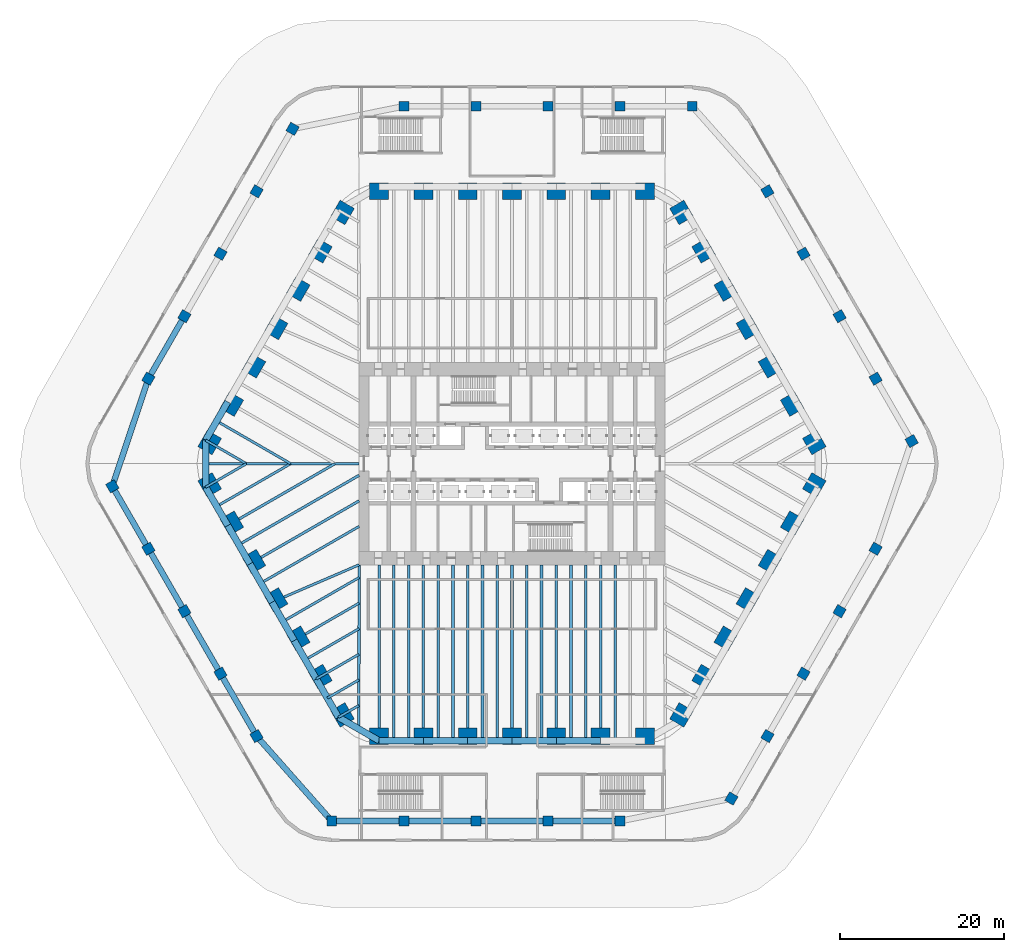
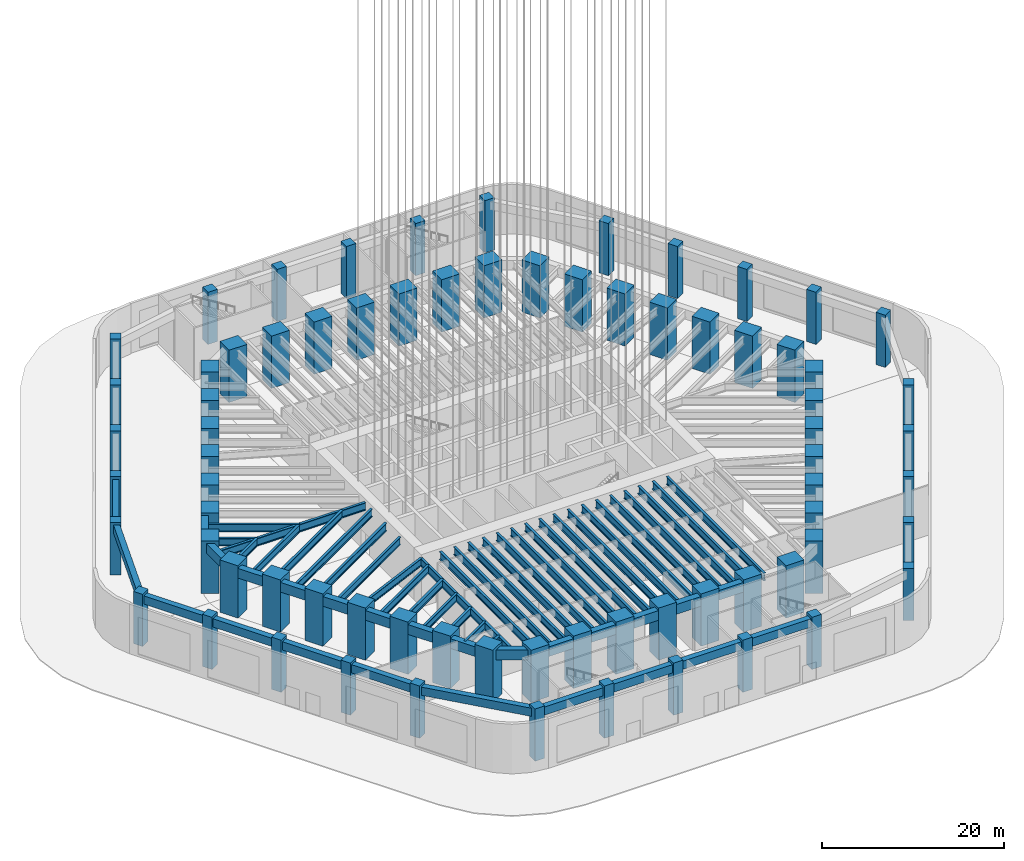
# One storey, part 1 of 23: 72 columns, 59 beams.
"""IFC4 building model written with IfcOpenShell, lengths in metres."""

from ifc_helpers import new_model, si_unit, direction, frame, origin, origin_2d, place, context, subcontext, project, spatial, rectangle, i_section, extrude, material, material_profile, profile_set, type_object, element, save


model = new_model("IFC4")

# Units and contexts
model_context = context("Model", 3, precision=1e-05, world=origin(), true_north=direction((0.0, 1.0)))
body_context = subcontext(model_context, "Body", "Model", "MODEL_VIEW")
ifc_project = project(units=[si_unit("LENGTHUNIT", "METRE"), si_unit("AREAUNIT", "SQUARE_METRE"), si_unit("VOLUMEUNIT", "CUBIC_METRE"), si_unit("PLANEANGLEUNIT", "RADIAN"), si_unit("MASSUNIT", "GRAM", prefix="KILO")], contexts=[model_context])

# Site, building, storey
site_placement = place(None, origin())
site = spatial("IfcSite", under=ifc_project, at=site_placement, CompositionType="ELEMENT")
building_placement = place(site_placement, origin())
building = spatial("IfcBuilding", under=site, at=building_placement, Name="Tarfa Lantern Tower", CompositionType="ELEMENT")
storey_placement = place(building_placement, origin())
storey = spatial("IfcBuildingStorey", under=building, at=storey_placement, Name="L00", CompositionType="ELEMENT", Elevation=0.0)

# Columns
ifc_material_1 = material(Name="Concrete C80/95", Category="concrete")
ifc_material_profile_1 = material_profile(ifc_material_1, rectangle(XDim=1.199951171875, YDim=1.199951171875, at=origin_2d()), Name="RC 1200x1200")
ifc_profile_set_1 = profile_set([ifc_material_profile_1], Name="Concrete C80/95")
column_type_1 = type_object("IfcColumnType", Name="PC1 RC 1200x1200", PredefinedType="COLUMN", material=ifc_profile_set_1)
for number, where, z_axis, x_axis, name in (
    (1, (48.641845703125, 2.75, 0.0), (0.0, 0.0, 1.0), (-0.5, 0.866025403784, 0.0), "Podium column NE0"),
    (2, (44.25390625, 10.35009765625, 0.0), (0.0, 0.0, 1.0), (-0.5, 0.866025403784, 0.0), "Podium column NE1"),
    (3, (39.865966796875, 17.949951171875, 0.0), (0.0, 0.0, 1.0), (-0.5, 0.866025403784, 0.0), "Podium column NE2"),
    (4, (35.478271484375, 25.550048828125, 0.0), (0.0, 0.0, 1.0), (-0.5, 0.866025403784, 0.0), "Podium column NE3"),
    (5, (31.09033203125, 33.14990234375, 0.0), (0.0, 0.0, 1.0), (-0.5, 0.866025403784, 0.0), "Podium column NE4"),
    (6, (21.939208984375, 43.5, 0.0), (0.0, 0.0, 1.0), (-1.0, 0.0, 0.0), "Podium column N0"),
    (7, (13.16357421875, 43.5, 0.0), (0.0, 0.0, 1.0), (-1.0, 0.0, 0.0), "Podium column N1"),
    (8, (4.387939453125, 43.5, 0.0), (0.0, 0.0, 1.0), (-1.0, 0.0, 0.0), "Podium column N2"),
    (9, (-4.387939453125, 43.5, 0.0), (0.0, 0.0, 1.0), (-1.0, 0.0, 0.0), "Podium column N3"),
    (10, (-13.16357421875, 43.5, 0.0), (0.0, 0.0, 1.0), (-1.0, 0.0, 0.0), "Podium column N4"),
    (11, (-26.702392578125, 40.75, 0.0), (0.0, 0.0, 1.0), (-0.5, -0.866025403784, 0.0), "Podium column NW0"),
    (12, (-31.09033203125, 33.14990234375, 0.0), (0.0, 0.0, 1.0), (-0.5, -0.866025403784, 0.0), "Podium column NW1"),
    (13, (-35.478271484375, 25.550048828125, 0.0), (0.0, 0.0, 1.0), (-0.5, -0.866025403784, 0.0), "Podium column NW2"),
    (14, (-39.865966796875, 17.949951171875, 0.0), (0.0, 0.0, 1.0), (-0.5, -0.866025403784, 0.0), "Podium column NW3"),
    (15, (-44.25390625, 10.35009765625, 0.0), (0.0, 0.0, 1.0), (-0.5, -0.866025403784, 0.0), "Podium column NW4"),
    (16, (-48.641845703125, -2.75, 0.0), (0.0, 0.0, 1.0), (0.5, -0.866025403784, 0.0), "Podium column SW0"),
    (17, (-44.25390625, -10.35009765625, 0.0), (0.0, 0.0, 1.0), (0.5, -0.866025403784, 0.0), "Podium column SW1"),
    (18, (-39.865966796875, -17.949951171875, 0.0), (0.0, 0.0, 1.0), (0.5, -0.866025403784, 0.0), "Podium column SW2"),
    (19, (-35.478271484375, -25.550048828125, 0.0), (0.0, 0.0, 1.0), (0.5, -0.866025403784, 0.0), "Podium column SW3"),
    (20, (-31.09033203125, -33.14990234375, 0.0), (0.0, 0.0, 1.0), (0.5, -0.866025403784, 0.0), "Podium column SW4"),
    (21, (-21.939208984375, -43.5, 0.0), (0.0, 0.0, 1.0), (1.0, 0.0, 0.0), "Podium column S0"),
    (22, (-13.16357421875, -43.5, 0.0), (0.0, 0.0, 1.0), (1.0, 0.0, 0.0), "Podium column S1"),
    (23, (-4.387939453125, -43.5, 0.0), (0.0, 0.0, 1.0), (1.0, 0.0, 0.0), "Podium column S2"),
    (24, (4.387939453125, -43.5, 0.0), (0.0, 0.0, 1.0), (1.0, 0.0, 0.0), "Podium column S3"),
    (25, (13.16357421875, -43.5, 0.0), (0.0, 0.0, 1.0), (1.0, 0.0, 0.0), "Podium column S4"),
    (26, (26.702392578125, -40.75, 0.0), (0.0, 0.0, 1.0), (0.5, 0.866025403784, 0.0), "Podium column SE0"),
    (27, (31.09033203125, -33.14990234375, 0.0), (0.0, 0.0, 1.0), (0.5, 0.866025403784, 0.0), "Podium column SE1"),
    (28, (35.478271484375, -25.550048828125, 0.0), (0.0, 0.0, 1.0), (0.5, 0.866025403784, 0.0), "Podium column SE2"),
    (29, (39.865966796875, -17.949951171875, 0.0), (0.0, 0.0, 1.0), (0.5, 0.866025403784, 0.0), "Podium column SE3"),
    (30, (44.25390625, -10.35009765625, 0.0), (0.0, 0.0, 1.0), (0.5, 0.866025403784, 0.0), "Podium column SE4"),
):
    element("IfcColumn", number, at=place(storey_placement, frame(where, z_axis=z_axis, x_axis=x_axis)), inside=storey, type_object=column_type_1, Name=name, PredefinedType="COLUMN", context=body_context, shape_type="SweptSolid", body=[
        extrude(rectangle(XDim=1.199951171875, YDim=1.199951171875, at=origin_2d()), origin(), (0.0, 0.0, 1.0), 7.0),
    ])
ifc_material_profile_2 = material_profile(ifc_material_1, rectangle(XDim=2.300048828125, YDim=2.0, at=origin_2d()), Name="RC 2300x2000")
ifc_profile_set_2 = profile_set([ifc_material_profile_2], Name="Concrete C80/95")
column_type_2 = type_object("IfcColumnType", Name="TC1 RC 2300x2000", PredefinedType="COLUMN", material=ifc_profile_set_2)
for number, where, z_axis, x_axis, name in (
    (31, (36.791748046875, 2.574951171875, 0.0), (0.0, 0.0, 1.0), (-0.5, 0.866025403784, 0.0), "Tube column NE0"),
    (32, (34.097412109375, 7.24169921875, 0.0), (0.0, 0.0, 1.0), (-0.5, 0.866025403784, 0.0), "Tube column NE1"),
    (33, (31.403076171875, 11.908447265625, 0.0), (0.0, 0.0, 1.0), (-0.5, 0.866025403784, 0.0), "Tube column NE2"),
    (34, (28.708740234375, 16.574951171875, 0.0), (0.0, 0.0, 1.0), (-0.5, 0.866025403784, 0.0), "Tube column NE3"),
    (35, (26.014404296875, 21.24169921875, 0.0), (0.0, 0.0, 1.0), (-0.5, 0.866025403784, 0.0), "Tube column NE4"),
    (36, (23.320068359375, 25.908447265625, 0.0), (0.0, 0.0, 1.0), (-0.5, 0.866025403784, 0.0), "Tube column NE5"),
    (37, (20.625732421875, 30.574951171875, 0.0), (0.0, 0.0, 1.0), (-0.5, 0.866025403784, 0.0), "Tube column NE6"),
    (38, (16.165771484375, 33.14990234375, 0.0), (0.0, 0.0, 1.0), (-1.0, 0.0, 0.0), "Tube column N0"),
    (39, (10.777099609375, 33.14990234375, 0.0), (0.0, 0.0, 1.0), (-1.0, 0.0, 0.0), "Tube column N1"),
    (40, (5.388671875, 33.14990234375, 0.0), (0.0, 0.0, 1.0), (-1.0, 0.0, 0.0), "Tube column N2"),
    (41, (0.0, 33.14990234375, 0.0), (0.0, 0.0, 1.0), (-1.0, 0.0, 0.0), "Tube column N3"),
    (42, (-5.388671875, 33.14990234375, 0.0), (0.0, 0.0, 1.0), (-1.0, 0.0, 0.0), "Tube column N4"),
    (43, (-10.777099609375, 33.14990234375, 0.0), (0.0, 0.0, 1.0), (-1.0, 0.0, 0.0), "Tube column N5"),
    (44, (-16.165771484375, 33.14990234375, 0.0), (0.0, 0.0, 1.0), (-1.0, 0.0, 0.0), "Tube column N6"),
    (45, (-20.625732421875, 30.574951171875, 0.0), (0.0, 0.0, 1.0), (-0.5, -0.866025403784, 0.0), "Tube column NW0"),
    (46, (-23.320068359375, 25.908447265625, 0.0), (0.0, 0.0, 1.0), (-0.5, -0.866025403784, 0.0), "Tube column NW1"),
    (47, (-26.014404296875, 21.24169921875, 0.0), (0.0, 0.0, 1.0), (-0.5, -0.866025403784, 0.0), "Tube column NW2"),
    (48, (-28.708740234375, 16.574951171875, 0.0), (0.0, 0.0, 1.0), (-0.5, -0.866025403784, 0.0), "Tube column NW3"),
    (49, (-31.403076171875, 11.908447265625, 0.0), (0.0, 0.0, 1.0), (-0.5, -0.866025403784, 0.0), "Tube column NW4"),
    (50, (-34.097412109375, 7.24169921875, 0.0), (0.0, 0.0, 1.0), (-0.5, -0.866025403784, 0.0), "Tube column NW5"),
    (51, (-36.791748046875, 2.574951171875, 0.0), (0.0, 0.0, 1.0), (-0.5, -0.866025403784, 0.0), "Tube column NW6"),
    (52, (-36.791748046875, -2.574951171875, 0.0), (0.0, 0.0, 1.0), (0.5, -0.866025403784, 0.0), "Tube column SW0"),
    (53, (-34.097412109375, -7.24169921875, 0.0), (0.0, 0.0, 1.0), (0.5, -0.866025403784, 0.0), "Tube column SW1"),
    (54, (-31.403076171875, -11.908447265625, 0.0), (0.0, 0.0, 1.0), (0.5, -0.866025403784, 0.0), "Tube column SW2"),
    (55, (-28.708740234375, -16.574951171875, 0.0), (0.0, 0.0, 1.0), (0.5, -0.866025403784, 0.0), "Tube column SW3"),
    (56, (-26.014404296875, -21.24169921875, 0.0), (0.0, 0.0, 1.0), (0.5, -0.866025403784, 0.0), "Tube column SW4"),
    (57, (-23.320068359375, -25.908447265625, 0.0), (0.0, 0.0, 1.0), (0.5, -0.866025403784, 0.0), "Tube column SW5"),
    (58, (-20.625732421875, -30.574951171875, 0.0), (0.0, 0.0, 1.0), (0.5, -0.866025403784, 0.0), "Tube column SW6"),
    (59, (-16.165771484375, -33.14990234375, 0.0), (0.0, 0.0, 1.0), (1.0, 0.0, 0.0), "Tube column S0"),
    (60, (-10.777099609375, -33.14990234375, 0.0), (0.0, 0.0, 1.0), (1.0, 0.0, 0.0), "Tube column S1"),
    (61, (-5.388671875, -33.14990234375, 0.0), (0.0, 0.0, 1.0), (1.0, 0.0, 0.0), "Tube column S2"),
    (62, (0.0, -33.14990234375, 0.0), (0.0, 0.0, 1.0), (1.0, 0.0, 0.0), "Tube column S3"),
    (63, (5.388671875, -33.14990234375, 0.0), (0.0, 0.0, 1.0), (1.0, 0.0, 0.0), "Tube column S4"),
    (64, (10.777099609375, -33.14990234375, 0.0), (0.0, 0.0, 1.0), (1.0, 0.0, 0.0), "Tube column S5"),
    (65, (16.165771484375, -33.14990234375, 0.0), (0.0, 0.0, 1.0), (1.0, 0.0, 0.0), "Tube column S6"),
    (66, (20.625732421875, -30.574951171875, 0.0), (0.0, 0.0, 1.0), (0.5, 0.866025403784, 0.0), "Tube column SE0"),
    (67, (23.320068359375, -25.908447265625, 0.0), (0.0, 0.0, 1.0), (0.5, 0.866025403784, 0.0), "Tube column SE1"),
    (68, (26.014404296875, -21.24169921875, 0.0), (0.0, 0.0, 1.0), (0.5, 0.866025403784, 0.0), "Tube column SE2"),
    (69, (28.708740234375, -16.574951171875, 0.0), (0.0, 0.0, 1.0), (0.5, 0.866025403784, 0.0), "Tube column SE3"),
    (70, (31.403076171875, -11.908447265625, 0.0), (0.0, 0.0, 1.0), (0.5, 0.866025403784, 0.0), "Tube column SE4"),
    (71, (34.097412109375, -7.24169921875, 0.0), (0.0, 0.0, 1.0), (0.5, 0.866025403784, 0.0), "Tube column SE5"),
    (72, (36.791748046875, -2.574951171875, 0.0), (0.0, 0.0, 1.0), (0.5, 0.866025403784, 0.0), "Tube column SE6"),
):
    element("IfcColumn", number, at=place(storey_placement, frame(where, z_axis=z_axis, x_axis=x_axis)), inside=storey, type_object=column_type_2, Name=name, PredefinedType="COLUMN", context=body_context, shape_type="SweptSolid", body=[
        extrude(rectangle(XDim=2.300048828125, YDim=2.0, at=origin_2d()), origin(), (0.0, 0.0, 1.0), 7.0),
    ])

# Beams
ifc_material_profile_3 = material_profile(ifc_material_1, rectangle(XDim=0.800048828125, YDim=1.300048828125, at=origin_2d()), Name="RC 800x1300")
ifc_profile_set_3 = profile_set([ifc_material_profile_3], Name="Concrete C80/95")
beam_type_1 = type_object("IfcBeamType", Name="EB1 RC 800x1300", PredefinedType="SPANDREL", material=ifc_profile_set_3)
beam_1_placement = place(storey_placement, frame((-34.591064453125, 7.526611328125, 6.0), z_axis=(-0.500017906299, -0.866015065331, 0.0), x_axis=(0.866015065331, -0.500017906299, 0.0)))
element("IfcBeam", 73, at=beam_1_placement, inside=storey, type_object=beam_type_1, Name="Edge beam NW5", PredefinedType="SPANDREL", context=body_context, shape_type="SweptSolid", body=[
    extrude(rectangle(XDim=0.800048828125, YDim=1.300048828125, at=origin_2d()), origin(), (0.0, 0.0, 1.0), 5.388427734375),
])
beam_2_placement = place(storey_placement, frame((-37.285400390625, 2.860107421875, 6.0), z_axis=(0.0, -1.0, 0.0), x_axis=(1.0, 0.0, 0.0)))
element("IfcBeam", 74, at=beam_2_placement, inside=storey, type_object=beam_type_1, Name="Edge beam NW6", PredefinedType="SPANDREL", context=body_context, shape_type="SweptSolid", body=[
    extrude(rectangle(XDim=0.800048828125, YDim=1.300048828125, at=origin_2d()), origin(), (0.0, 0.0, 1.0), 5.72021484375),
])
beam_3_placement = place(storey_placement, frame((-37.285400390625, -2.860107421875, 6.0), z_axis=(0.500017906299, -0.866015065331, 0.0), x_axis=(0.866015065331, 0.500017906299, 0.0)))
element("IfcBeam", 75, at=beam_3_placement, inside=storey, type_object=beam_type_1, Name="Edge beam SW0", PredefinedType="SPANDREL", context=body_context, shape_type="SweptSolid", body=[
    extrude(rectangle(XDim=0.800048828125, YDim=1.300048828125, at=origin_2d()), origin(), (0.0, 0.0, 1.0), 5.388427734375),
])
for number, where, z_axis, x_axis, name in (
    (76, (-34.591064453125, -7.526611328125, 6.0), (0.499998287579, -0.866026392449, 0.0), (0.866026392449, 0.499998287579, 0.0), "Edge beam SW1"),
    (77, (-31.896728515625, -12.193359375, 6.0), (0.499998287579, -0.866026392449, 0.0), (0.866026392449, 0.499998287579, 0.0), "Edge beam SW2"),
):
    element("IfcBeam", number, at=place(storey_placement, frame(where, z_axis=z_axis, x_axis=x_axis)), inside=storey, type_object=beam_type_1, Name=name, PredefinedType="SPANDREL", context=body_context, shape_type="SweptSolid", body=[
        extrude(rectangle(XDim=0.800048828125, YDim=1.300048828125, at=origin_2d()), origin(), (0.0, 0.0, 1.0), 5.388671875),
    ])
beam_4_placement = place(storey_placement, frame((-29.202392578125, -16.860107421875, 6.0), z_axis=(0.500017906299, -0.866015065331, 0.0), x_axis=(0.866015065331, 0.500017906299, 0.0)))
element("IfcBeam", 78, at=beam_4_placement, inside=storey, type_object=beam_type_1, Name="Edge beam SW3", PredefinedType="SPANDREL", context=body_context, shape_type="SweptSolid", body=[
    extrude(rectangle(XDim=0.800048828125, YDim=1.300048828125, at=origin_2d()), origin(), (0.0, 0.0, 1.0), 5.388427734375),
])
for number, where, z_axis, x_axis, name in (
    (79, (-26.508056640625, -21.526611328125, 6.0), (0.499998287579, -0.866026392449, 0.0), (0.866026392449, 0.499998287579, 0.0), "Edge beam SW4"),
    (80, (-23.813720703125, -26.193359375, 6.0), (0.499998287579, -0.866026392449, 0.0), (0.866026392449, 0.499998287579, 0.0), "Edge beam SW5"),
):
    element("IfcBeam", number, at=place(storey_placement, frame(where, z_axis=z_axis, x_axis=x_axis)), inside=storey, type_object=beam_type_1, Name=name, PredefinedType="SPANDREL", context=body_context, shape_type="SweptSolid", body=[
        extrude(rectangle(XDim=0.800048828125, YDim=1.300048828125, at=origin_2d()), origin(), (0.0, 0.0, 1.0), 5.388671875),
    ])
beam_5_placement = place(storey_placement, frame((-21.119384765625, -30.860107421875, 6.0), z_axis=(0.866033479681, -0.499986011877, 0.0), x_axis=(0.499986011877, 0.866033479681, 0.0)))
element("IfcBeam", 81, at=beam_5_placement, inside=storey, type_object=beam_type_1, Name="Edge beam SW6", PredefinedType="SPANDREL", context=body_context, shape_type="SweptSolid", body=[
    extrude(rectangle(XDim=0.800048828125, YDim=1.300048828125, at=origin_2d()), origin(), (0.0, 0.0, 1.0), 5.719970703125),
])
beam_6_placement = place(storey_placement, frame((-16.165771484375, -33.719970703125, 6.0), z_axis=(1.0, 0.0, 0.0), x_axis=(0.0, 1.0, 0.0)))
element("IfcBeam", 82, at=beam_6_placement, inside=storey, type_object=beam_type_1, Name="Edge beam S0", PredefinedType="SPANDREL", context=body_context, shape_type="SweptSolid", body=[
    extrude(rectangle(XDim=0.800048828125, YDim=1.300048828125, at=origin_2d()), origin(), (0.0, 0.0, 1.0), 5.388671875),
])
beam_7_placement = place(storey_placement, frame((-10.777099609375, -33.719970703125, 6.0), z_axis=(1.0, 0.0, 0.0), x_axis=(0.0, 1.0, 0.0)))
element("IfcBeam", 83, at=beam_7_placement, inside=storey, type_object=beam_type_1, Name="Edge beam S1", PredefinedType="SPANDREL", context=body_context, shape_type="SweptSolid", body=[
    extrude(rectangle(XDim=0.800048828125, YDim=1.300048828125, at=origin_2d()), origin(), (0.0, 0.0, 1.0), 5.388427734375),
])
for number, where, z_axis, x_axis, name in (
    (84, (-5.388671875, -33.719970703125, 6.0), (1.0, 0.0, 0.0), (0.0, 1.0, 0.0), "Edge beam S2"),
    (85, (0.0, -33.719970703125, 6.0), (1.0, 0.0, 0.0), (0.0, 1.0, 0.0), "Edge beam S3"),
):
    element("IfcBeam", number, at=place(storey_placement, frame(where, z_axis=z_axis, x_axis=x_axis)), inside=storey, type_object=beam_type_1, Name=name, PredefinedType="SPANDREL", context=body_context, shape_type="SweptSolid", body=[
        extrude(rectangle(XDim=0.800048828125, YDim=1.300048828125, at=origin_2d()), origin(), (0.0, 0.0, 1.0), 5.388671875),
    ])
beam_8_placement = place(storey_placement, frame((5.388671875, -33.719970703125, 6.0), z_axis=(1.0, 0.0, 0.0), x_axis=(0.0, 1.0, 0.0)))
element("IfcBeam", 86, at=beam_8_placement, inside=storey, type_object=beam_type_1, Name="Edge beam S4", PredefinedType="SPANDREL", context=body_context, shape_type="SweptSolid", body=[
    extrude(rectangle(XDim=0.800048828125, YDim=1.300048828125, at=origin_2d()), origin(), (0.0, 0.0, 1.0), 5.388427734375),
])
ifc_material_profile_4 = material_profile(ifc_material_1, rectangle(XDim=0.699951171875, YDim=1.10009765625, at=origin_2d()), Name="RC 700x1100")
ifc_profile_set_4 = profile_set([ifc_material_profile_4], Name="Concrete C80/95")
beam_type_2 = type_object("IfcBeamType", Name="PB1 RC 700x1100", PredefinedType="BEAM", material=ifc_profile_set_4)
beam_9_placement = place(storey_placement, frame((-39.865966796875, 17.949951171875, 6.10009765625), z_axis=(-0.500013843384, -0.866017411155, 0.0), x_axis=(0.866017411155, -0.500013843384, 0.0)))
element("IfcBeam", 87, at=beam_9_placement, inside=storey, type_object=beam_type_2, Name="Podium ring beam NW3", PredefinedType="BEAM", context=body_context, shape_type="SweptSolid", body=[
    extrude(rectangle(XDim=0.699951171875, YDim=1.10009765625, at=origin_2d()), origin(), (0.0, 0.0, 1.0), 8.775634765625),
])
beam_10_placement = place(storey_placement, frame((-44.25390625, 10.35009765625, 6.10009765625), z_axis=(-0.317611113529, -0.948221061021, 0.0), x_axis=(0.948221061021, -0.317611113529, 0.0)))
element("IfcBeam", 88, at=beam_10_placement, inside=storey, type_object=beam_type_2, Name="Podium ring beam NW4", PredefinedType="BEAM", context=body_context, shape_type="SweptSolid", body=[
    extrude(rectangle(XDim=0.699951171875, YDim=1.10009765625, at=origin_2d()), origin(), (0.0, 0.0, 1.0), 13.8154296875),
])
beam_11_placement = place(storey_placement, frame((-48.641845703125, -2.75, 6.10009765625), z_axis=(0.50000179687, -0.866024366359, 0.0), x_axis=(0.866024366359, 0.50000179687, 0.0)))
element("IfcBeam", 89, at=beam_11_placement, inside=storey, type_object=beam_type_2, Name="Podium ring beam SW0", PredefinedType="BEAM", context=body_context, shape_type="SweptSolid", body=[
    extrude(rectangle(XDim=0.699951171875, YDim=1.10009765625, at=origin_2d()), origin(), (0.0, 0.0, 1.0), 8.77587890625),
])
for number, where, z_axis, x_axis, name in (
    (90, (-44.25390625, -10.35009765625, 6.10009765625), (0.500013843384, -0.866017411155, 0.0), (0.866017411155, 0.500013843384, 0.0), "Podium ring beam SW1"),
    (91, (-39.865966796875, -17.949951171875, 6.10009765625), (0.499980931779, -0.866036412547, 0.0), (0.866036412547, 0.499980931779, 0.0), "Podium ring beam SW2"),
    (92, (-35.478271484375, -25.550048828125, 6.10009765625), (0.500013843384, -0.866017411155, 0.0), (0.866017411155, 0.500013843384, 0.0), "Podium ring beam SW3"),
):
    element("IfcBeam", number, at=place(storey_placement, frame(where, z_axis=z_axis, x_axis=x_axis)), inside=storey, type_object=beam_type_2, Name=name, PredefinedType="BEAM", context=body_context, shape_type="SweptSolid", body=[
        extrude(rectangle(XDim=0.699951171875, YDim=1.10009765625, at=origin_2d()), origin(), (0.0, 0.0, 1.0), 8.775634765625),
    ])
beam_12_placement = place(storey_placement, frame((-31.09033203125, -33.14990234375, 6.10009765625), z_axis=(0.662381688084, -0.74916653642, 0.0), x_axis=(0.74916653642, 0.662381688084, 0.0)))
element("IfcBeam", 93, at=beam_12_placement, inside=storey, type_object=beam_type_2, Name="Podium ring beam SW4", PredefinedType="BEAM", context=body_context, shape_type="SweptSolid", body=[
    extrude(rectangle(XDim=0.699951171875, YDim=1.10009765625, at=origin_2d()), origin(), (0.0, 0.0, 1.0), 13.8154296875),
])
for number, where, z_axis, x_axis, name in (
    (94, (-21.939208984375, -43.5, 6.10009765625), (1.0, 0.0, 0.0), (0.0, 1.0, 0.0), "Podium ring beam S0"),
    (95, (-13.16357421875, -43.5, 6.10009765625), (1.0, 0.0, 0.0), (0.0, 1.0, 0.0), "Podium ring beam S1"),
):
    element("IfcBeam", number, at=place(storey_placement, frame(where, z_axis=z_axis, x_axis=x_axis)), inside=storey, type_object=beam_type_2, Name=name, PredefinedType="BEAM", context=body_context, shape_type="SweptSolid", body=[
        extrude(rectangle(XDim=0.699951171875, YDim=1.10009765625, at=origin_2d()), origin(), (0.0, 0.0, 1.0), 8.775634765625),
    ])
beam_13_placement = place(storey_placement, frame((-4.387939453125, -43.5, 6.10009765625), z_axis=(1.0, 0.0, 0.0), x_axis=(0.0, 1.0, 0.0)))
element("IfcBeam", 96, at=beam_13_placement, inside=storey, type_object=beam_type_2, Name="Podium ring beam S2", PredefinedType="BEAM", context=body_context, shape_type="SweptSolid", body=[
    extrude(rectangle(XDim=0.699951171875, YDim=1.10009765625, at=origin_2d()), origin(), (0.0, 0.0, 1.0), 8.77587890625),
])
beam_14_placement = place(storey_placement, frame((4.387939453125, -43.5, 6.10009765625), z_axis=(1.0, 0.0, 0.0), x_axis=(0.0, 1.0, 0.0)))
element("IfcBeam", 97, at=beam_14_placement, inside=storey, type_object=beam_type_2, Name="Podium ring beam S3", PredefinedType="BEAM", context=body_context, shape_type="SweptSolid", body=[
    extrude(rectangle(XDim=0.699951171875, YDim=1.10009765625, at=origin_2d()), origin(), (0.0, 0.0, 1.0), 8.775634765625),
])
ifc_material_2 = material(Name="Steel S460M", Category="steel")
ifc_material_profile_5 = material_profile(ifc_material_2, i_section(OverallWidth=0.302001953125, OverallDepth=1.008056640625, WebThickness=0.02099609375, FlangeThickness=0.0400390625, FilletRadius=0.030029296875, at=origin_2d()), Name="UB1016x305x349")
ifc_profile_set_5 = profile_set([ifc_material_profile_5], Name="Steel S460M")
beam_type_3 = type_object("IfcBeamType", Name="UB1016x305x349", PredefinedType="BEAM", material=ifc_profile_set_5)
for number, where, z_axis, x_axis, name in (
    (98, (-37.285400390625, 2.860107421875, 6.14599609375), (0.866025668288, -0.499999541866, 0.0), (0.499999541866, 0.866025668288, 0.0), "Floor beam NW6"),
    (99, (-37.285400390625, -2.860107421875, 6.14599609375), (0.866025668288, 0.499999541866, 0.0), (-0.499999541866, 0.866025668288, 0.0), "Floor beam SW0"),
):
    element("IfcBeam", number, at=place(storey_placement, frame(where, z_axis=z_axis, x_axis=x_axis)), inside=storey, type_object=beam_type_3, Name=name, PredefinedType="BEAM", context=body_context, shape_type="SweptSolid", body=[
        extrude(i_section(OverallWidth=0.302001953125, OverallDepth=1.008056640625, WebThickness=0.02099609375, FlangeThickness=0.0400390625, FilletRadius=0.030029296875, at=origin_2d()), origin(), (0.0, 0.0, 1.0), 5.72021484375),
    ])
beam_15_placement = place(storey_placement, frame((-29.202392578125, -16.860107421875, 6.14599609375), z_axis=(0.918635483867, 0.395106122175, 0.0), x_axis=(-0.395106122175, 0.918635483867, 0.0)))
element("IfcBeam", 100, at=beam_15_placement, inside=storey, type_object=beam_type_3, Name="Floor beam SW3", PredefinedType="BEAM", context=body_context, shape_type="SweptSolid", body=[
    extrude(i_section(OverallWidth=0.302001953125, OverallDepth=1.008056640625, WebThickness=0.02099609375, FlangeThickness=0.0400390625, FilletRadius=0.030029296875, at=origin_2d()), origin(), (0.0, 0.0, 1.0), 11.541259765625),
])
beam_16_placement = place(storey_placement, frame((-26.508056640625, -21.526611328125, 6.14599609375), z_axis=(0.866035355799, 0.49998276221, 0.0), x_axis=(-0.49998276221, 0.866035355799, 0.0)))
element("IfcBeam", 101, at=beam_16_placement, inside=storey, type_object=beam_type_3, Name="Floor beam SW4", PredefinedType="BEAM", context=body_context, shape_type="SweptSolid", body=[
    extrude(i_section(OverallWidth=0.302001953125, OverallDepth=1.008056640625, WebThickness=0.02099609375, FlangeThickness=0.0400390625, FilletRadius=0.030029296875, at=origin_2d()), origin(), (0.0, 0.0, 1.0), 9.119873046875),
])
beam_17_placement = place(storey_placement, frame((-23.813720703125, -26.193359375, 6.14599609375), z_axis=(0.866015997389, 0.500016292001, 0.0), x_axis=(-0.500016292001, 0.866015997389, 0.0)))
element("IfcBeam", 102, at=beam_17_placement, inside=storey, type_object=beam_type_3, Name="Floor beam SW5", PredefinedType="BEAM", context=body_context, shape_type="SweptSolid", body=[
    extrude(i_section(OverallWidth=0.302001953125, OverallDepth=1.008056640625, WebThickness=0.02099609375, FlangeThickness=0.0400390625, FilletRadius=0.030029296875, at=origin_2d()), origin(), (0.0, 0.0, 1.0), 5.993408203125),
])
beam_18_placement = place(storey_placement, frame((-21.119384765625, -30.860107421875, 6.14599609375), z_axis=(0.866012580594, 0.500022209759, 0.0), x_axis=(-0.500022209759, 0.866012580594, 0.0)))
element("IfcBeam", 103, at=beam_18_placement, inside=storey, type_object=beam_type_3, Name="Floor beam SW6", PredefinedType="BEAM", context=body_context, shape_type="SweptSolid", body=[
    extrude(i_section(OverallWidth=0.302001953125, OverallDepth=1.008056640625, WebThickness=0.02099609375, FlangeThickness=0.0400390625, FilletRadius=0.030029296875, at=origin_2d()), origin(), (0.0, 0.0, 1.0), 2.866943359375),
])
for number, where, z_axis, x_axis, name in (
    (104, (-35.938232421875, 5.193359375, 6.14599609375), (0.866024317969, -0.500001880682, 0.0), (0.500001880682, 0.866024317969, 0.0), "Floor beam NW5M"),
    (105, (-35.938232421875, -5.193359375, 6.14599609375), (0.866024317969, 0.500001880682, 0.0), (-0.500001880682, 0.866024317969, 0.0), "Floor beam SW0M"),
):
    element("IfcBeam", number, at=place(storey_placement, frame(where, z_axis=z_axis, x_axis=x_axis)), inside=storey, type_object=beam_type_3, Name=name, PredefinedType="BEAM", context=body_context, shape_type="SweptSolid", body=[
        extrude(i_section(OverallWidth=0.302001953125, OverallDepth=1.008056640625, WebThickness=0.02099609375, FlangeThickness=0.0400390625, FilletRadius=0.030029296875, at=origin_2d()), origin(), (0.0, 0.0, 1.0), 10.38671875),
    ])
beam_19_placement = place(storey_placement, frame((-30.549560546875, -14.526611328125, 6.14599609375), z_axis=(0.866028536827, 0.499994573371, 0.0), x_axis=(-0.499994573371, 0.866028536827, 0.0)))
element("IfcBeam", 106, at=beam_19_placement, inside=storey, type_object=beam_type_3, Name="Floor beam SW2M", PredefinedType="BEAM", context=body_context, shape_type="SweptSolid", body=[
    extrude(i_section(OverallWidth=0.302001953125, OverallDepth=1.008056640625, WebThickness=0.02099609375, FlangeThickness=0.0400390625, FilletRadius=0.030029296875, at=origin_2d()), origin(), (0.0, 0.0, 1.0), 13.798095703125),
])
beam_20_placement = place(storey_placement, frame((-27.855224609375, -19.193359375, 6.14599609375), z_axis=(0.866028034017, 0.499995444275, 0.0), x_axis=(-0.499995444275, 0.866028034017, 0.0)))
element("IfcBeam", 107, at=beam_20_placement, inside=storey, type_object=beam_type_3, Name="Floor beam SW3M", PredefinedType="BEAM", context=body_context, shape_type="SweptSolid", body=[
    extrude(i_section(OverallWidth=0.302001953125, OverallDepth=1.008056640625, WebThickness=0.02099609375, FlangeThickness=0.0400390625, FilletRadius=0.030029296875, at=origin_2d()), origin(), (0.0, 0.0, 1.0), 10.68310546875),
])
beam_21_placement = place(storey_placement, frame((-25.160888671875, -23.860107421875, 6.14599609375), z_axis=(0.866009650502, 0.500027284493, 0.0), x_axis=(-0.500027284493, 0.866009650502, 0.0)))
element("IfcBeam", 108, at=beam_21_placement, inside=storey, type_object=beam_type_3, Name="Floor beam SW4M", PredefinedType="BEAM", context=body_context, shape_type="SweptSolid", body=[
    extrude(i_section(OverallWidth=0.302001953125, OverallDepth=1.008056640625, WebThickness=0.02099609375, FlangeThickness=0.0400390625, FilletRadius=0.030029296875, at=origin_2d()), origin(), (0.0, 0.0, 1.0), 7.556640625),
])
beam_22_placement = place(storey_placement, frame((-22.466552734375, -28.526611328125, 6.14599609375), z_axis=(0.866026823135, 0.499997541604, 0.0), x_axis=(-0.499997541604, 0.866026823135, 0.0)))
element("IfcBeam", 109, at=beam_22_placement, inside=storey, type_object=beam_type_3, Name="Floor beam SW5M", PredefinedType="BEAM", context=body_context, shape_type="SweptSolid", body=[
    extrude(i_section(OverallWidth=0.302001953125, OverallDepth=1.008056640625, WebThickness=0.02099609375, FlangeThickness=0.0400390625, FilletRadius=0.030029296875, at=origin_2d()), origin(), (0.0, 0.0, 1.0), 4.43017578125),
])
ifc_material_profile_6 = material_profile(ifc_material_2, i_section(OverallWidth=0.314208984375, OverallDepth=1.055908203125, WebThickness=0.035888671875, FlangeThickness=0.06396484375, FilletRadius=0.030029296875, at=origin_2d()), Name="UB1016x305x584")
ifc_profile_set_6 = profile_set([ifc_material_profile_6], Name="Steel S460M")
beam_type_4 = type_object("IfcBeamType", Name="UB1016x305x584", PredefinedType="BEAM", material=ifc_profile_set_6)
beam_23_placement = place(storey_placement, frame((-18.60009765625, 0.0, 6.1220703125), z_axis=(-1.0, 0.0, 0.0), x_axis=(0.0, -1.0, 0.0)))
element("IfcBeam", 110, at=beam_23_placement, inside=storey, type_object=beam_type_4, Name="Hip girder W", PredefinedType="BEAM", context=body_context, shape_type="SweptSolid", body=[
    extrude(i_section(OverallWidth=0.314208984375, OverallDepth=1.055908203125, WebThickness=0.035888671875, FlangeThickness=0.06396484375, FilletRadius=0.030029296875, at=origin_2d()), origin(), (0.0, 0.0, 1.0), 18.685302734375),
])
beam_24_placement = place(storey_placement, frame((-18.60009765625, -12.300048828125, 6.1220703125), z_axis=(-0.00212508222, -0.99999774201, 0.0), x_axis=(0.99999774201, -0.00212508222, 0.0)))
element("IfcBeam", 111, at=beam_24_placement, inside=storey, type_object=beam_type_4, Name="Hip girder SW", PredefinedType="BEAM", context=body_context, shape_type="SweptSolid", body=[
    extrude(i_section(OverallWidth=0.314208984375, OverallDepth=1.055908203125, WebThickness=0.035888671875, FlangeThickness=0.06396484375, FilletRadius=0.030029296875, at=origin_2d()), origin(), (0.0, 0.0, 1.0), 19.989990234375),
])
beam_25_placement = place(storey_placement, frame((-34.591064453125, -7.526611328125, 6.1220703125), z_axis=(0.86602785945, 0.499995746638, 0.0), x_axis=(-0.499995746638, 0.86602785945, 0.0)))
element("IfcBeam", 112, at=beam_25_placement, inside=storey, type_object=beam_type_4, Name="Floor beam SW1", PredefinedType="BEAM", context=body_context, shape_type="SweptSolid", body=[
    extrude(i_section(OverallWidth=0.314208984375, OverallDepth=1.055908203125, WebThickness=0.035888671875, FlangeThickness=0.06396484375, FilletRadius=0.030029296875, at=origin_2d()), origin(), (0.0, 0.0, 1.0), 15.053466796875),
])
beam_26_placement = place(storey_placement, frame((-31.896728515625, -12.193359375, 6.1220703125), z_axis=(0.866026971665, 0.499997284341, 0.0), x_axis=(-0.499997284341, 0.866026971665, 0.0)))
element("IfcBeam", 113, at=beam_26_placement, inside=storey, type_object=beam_type_4, Name="Floor beam SW2", PredefinedType="BEAM", context=body_context, shape_type="SweptSolid", body=[
    extrude(i_section(OverallWidth=0.314208984375, OverallDepth=1.055908203125, WebThickness=0.035888671875, FlangeThickness=0.06396484375, FilletRadius=0.030029296875, at=origin_2d()), origin(), (0.0, 0.0, 1.0), 15.353515625),
])
for number, where, z_axis, x_axis, name in (
    (114, (-16.165771484375, -33.719970703125, 6.1220703125), (0.0, 1.0, 0.0), (-1.0, 0.0, 0.0), "Floor beam S0"),
    (115, (-10.777099609375, -33.719970703125, 6.1220703125), (0.0, 1.0, 0.0), (-1.0, 0.0, 0.0), "Floor beam S1"),
    (116, (-5.388671875, -33.719970703125, 6.1220703125), (0.0, 1.0, 0.0), (-1.0, 0.0, 0.0), "Floor beam S2"),
    (117, (0.0, -33.719970703125, 6.1220703125), (0.0, 1.0, 0.0), (-1.0, 0.0, 0.0), "Floor beam S3"),
    (118, (5.388671875, -33.719970703125, 6.1220703125), (0.0, 1.0, 0.0), (-1.0, 0.0, 0.0), "Floor beam S4"),
    (119, (10.777099609375, -33.719970703125, 6.1220703125), (0.0, 1.0, 0.0), (-1.0, 0.0, 0.0), "Floor beam S5"),
):
    element("IfcBeam", number, at=place(storey_placement, frame(where, z_axis=z_axis, x_axis=x_axis)), inside=storey, type_object=beam_type_4, Name=name, PredefinedType="BEAM", context=body_context, shape_type="SweptSolid", body=[
        extrude(i_section(OverallWidth=0.314208984375, OverallDepth=1.055908203125, WebThickness=0.035888671875, FlangeThickness=0.06396484375, FilletRadius=0.030029296875, at=origin_2d()), origin(), (0.0, 0.0, 1.0), 21.419921875),
    ])
beam_27_placement = place(storey_placement, frame((-33.243896484375, -9.860107421875, 6.1220703125), z_axis=(0.866019442478, 0.500010325144, 0.0), x_axis=(-0.500010325144, 0.866019442478, 0.0)))
element("IfcBeam", 120, at=beam_27_placement, inside=storey, type_object=beam_type_4, Name="Floor beam SW1M", PredefinedType="BEAM", context=body_context, shape_type="SweptSolid", body=[
    extrude(i_section(OverallWidth=0.314208984375, OverallDepth=1.055908203125, WebThickness=0.035888671875, FlangeThickness=0.06396484375, FilletRadius=0.030029296875, at=origin_2d()), origin(), (0.0, 0.0, 1.0), 16.909423828125),
])
for number, where, z_axis, x_axis, name in (
    (121, (-14.36962890625, -33.719970703125, 6.1220703125), (0.0, 1.0, 0.0), (-1.0, 0.0, 0.0), "Floor beam S0M1"),
    (122, (-12.573486328125, -33.719970703125, 6.1220703125), (0.0, 1.0, 0.0), (-1.0, 0.0, 0.0), "Floor beam S0M2"),
    (123, (-8.98095703125, -33.719970703125, 6.1220703125), (0.0, 1.0, 0.0), (-1.0, 0.0, 0.0), "Floor beam S1M1"),
    (124, (-7.184814453125, -33.719970703125, 6.1220703125), (0.0, 1.0, 0.0), (-1.0, 0.0, 0.0), "Floor beam S1M2"),
    (125, (-3.59228515625, -33.719970703125, 6.1220703125), (0.0, 1.0, 0.0), (-1.0, 0.0, 0.0), "Floor beam S2M1"),
    (126, (-1.796142578125, -33.719970703125, 6.1220703125), (0.0, 1.0, 0.0), (-1.0, 0.0, 0.0), "Floor beam S2M2"),
    (127, (1.796142578125, -33.719970703125, 6.1220703125), (0.0, 1.0, 0.0), (-1.0, 0.0, 0.0), "Floor beam S3M1"),
    (128, (3.59228515625, -33.719970703125, 6.1220703125), (0.0, 1.0, 0.0), (-1.0, 0.0, 0.0), "Floor beam S3M2"),
    (129, (7.184814453125, -33.719970703125, 6.1220703125), (0.0, 1.0, 0.0), (-1.0, 0.0, 0.0), "Floor beam S4M1"),
    (130, (8.98095703125, -33.719970703125, 6.1220703125), (0.0, 1.0, 0.0), (-1.0, 0.0, 0.0), "Floor beam S4M2"),
    (131, (12.573486328125, -33.719970703125, 6.1220703125), (0.0, 1.0, 0.0), (-1.0, 0.0, 0.0), "Floor beam S5M1"),
):
    element("IfcBeam", number, at=place(storey_placement, frame(where, z_axis=z_axis, x_axis=x_axis)), inside=storey, type_object=beam_type_4, Name=name, PredefinedType="BEAM", context=body_context, shape_type="SweptSolid", body=[
        extrude(i_section(OverallWidth=0.314208984375, OverallDepth=1.055908203125, WebThickness=0.035888671875, FlangeThickness=0.06396484375, FilletRadius=0.030029296875, at=origin_2d()), origin(), (0.0, 0.0, 1.0), 21.419921875),
    ])

save(model, "model.ifc")
